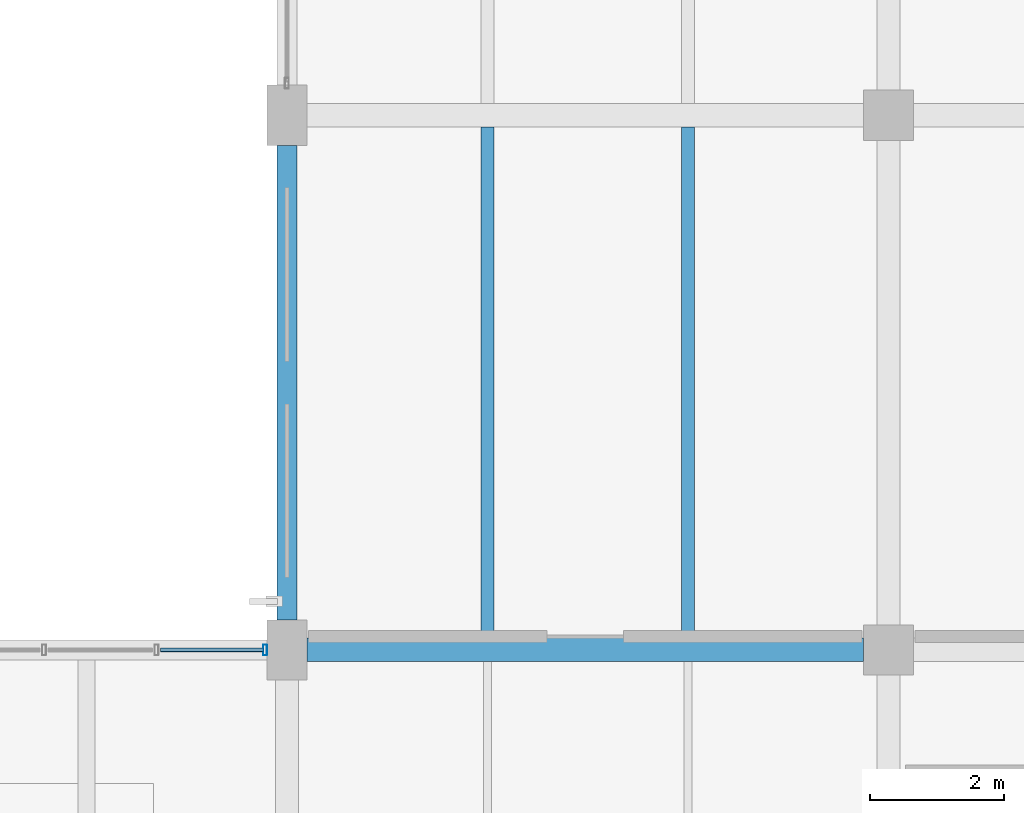
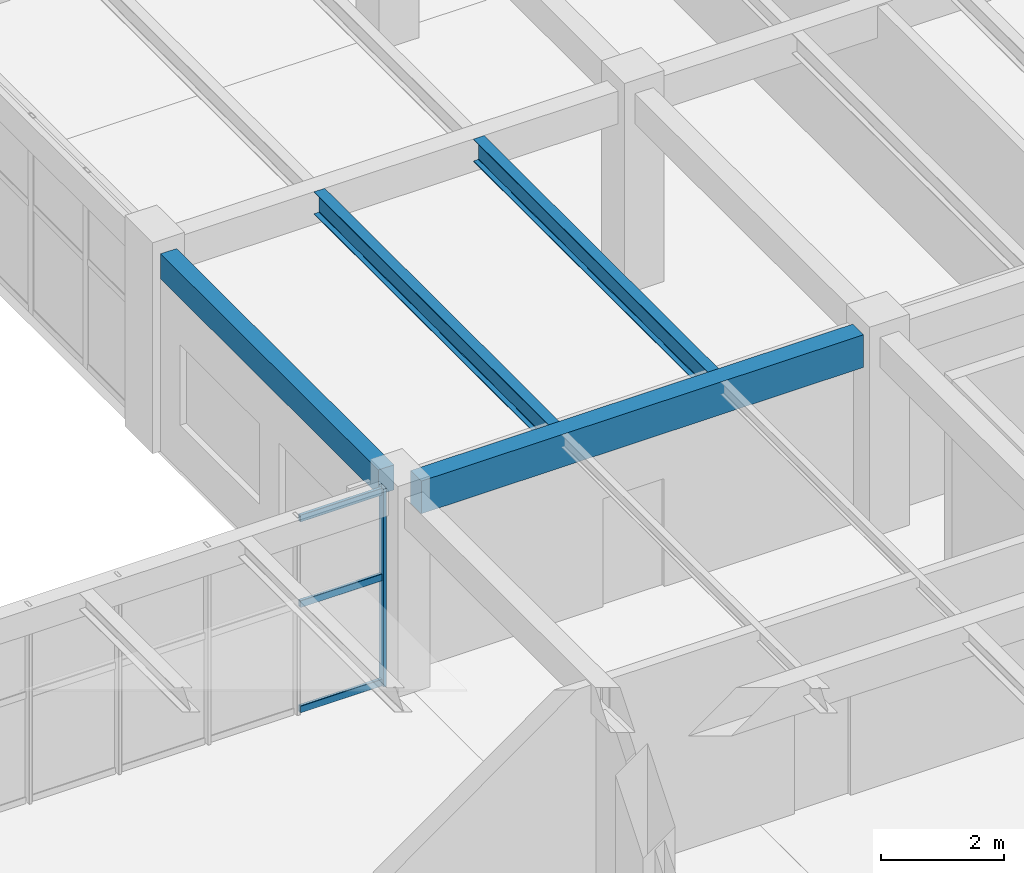
# One storey, part 71 of 128: 4 beams, 4 members, 1 element without a shape of its own.
"""IFC4 building model written with IfcOpenShell, lengths in metres."""

from ifc_helpers import new_model, si_unit, derived_unit, direction, frame, origin, origin_2d, place, context, subcontext, project, spatial, rectangle, hollow_rectangle, i_section, extrude, material, material_profile, profile_set, type_object, element, aggregate, save


model = new_model("IFC4")

# Units and contexts
model_context = context("Model", 3, precision=1e-05, world=origin(), true_north=direction((0.0, 1.0)))
body_context = subcontext(model_context, "Body", "Model", "MODEL_VIEW")
ifc_project = project(units=[si_unit("LENGTHUNIT", "METRE"), si_unit("AREAUNIT", "SQUARE_METRE"), si_unit("VOLUMEUNIT", "CUBIC_METRE"), si_unit("PLANEANGLEUNIT", "RADIAN"), si_unit("MASSUNIT", "GRAM", prefix="KILO"), derived_unit("THERMALTRANSMITTANCEUNIT", [(si_unit("MASSUNIT", "GRAM", prefix="KILO"), 1), (si_unit("TIMEUNIT", "SECOND"), -3), (si_unit("THERMODYNAMICTEMPERATUREUNIT", "KELVIN"), -1)])], contexts=[model_context])

# Site, building, storey
site_placement = place(None, origin())
site = spatial("IfcSite", under=ifc_project, at=site_placement, CompositionType="ELEMENT")
building_placement = place(site_placement, origin())
building = spatial("IfcBuilding", under=site, at=building_placement, Name="Zhenchuan Archway Interchange", CompositionType="ELEMENT")
storey_placement = place(building_placement, frame((0.0, 0.0, 14.39990234375)))
storey = spatial("IfcBuildingStorey", under=building, at=storey_placement, Name="L03", CompositionType="ELEMENT", Elevation=14.39990234375)

# Beam
ifc_material_1 = material(Name="Concrete C40", Category="concrete")
ifc_material_profile_1 = material_profile(ifc_material_1, rectangle(XDim=0.35009765625, YDim=0.64990234375, at=origin_2d()), Name="RC 350x650")
ifc_profile_set_1 = profile_set([ifc_material_profile_1], Name="Concrete C40")
beam_type_1 = type_object("IfcBeamType", Name="BM_RC_350x650", PredefinedType="BEAM", material=ifc_profile_set_1)
beam_1_placement = place(storey_placement, frame((144.300048828125, 24.0, 3.60498046875), z_axis=(1.0, 0.0, 0.0), x_axis=(0.0, 1.0, 0.0)))
element("IfcBeam", 1, at=beam_1_placement, inside=storey, type_object=beam_type_1, Name="Beam D:17-18 (L03)", PredefinedType="BEAM", context=body_context, shape_type="SweptSolid", body=[
    extrude(rectangle(XDim=0.35009765625, YDim=0.64990234375, at=origin_2d()), origin(), (0.0, 0.0, 1.0), 8.324951171875),
])

# Curtain wall, members
ifc_material_2 = material(Name="Anodised Aluminium", Category="aluminium")
curtain_wall_type = type_object("IfcCurtainWallType", Name="CW_UNIT_4", PredefinedType="NOTDEFINED", material=ifc_material_2)
curtain_wall_placement = place(storey_placement, origin())
curtain_wall = element("IfcCurtainWall", 2, at=curtain_wall_placement, inside=storey, type_object=curtain_wall_type, Name="Unitised curtain wall CW:L03:167", PredefinedType="NOTDEFINED")
ifc_material_profile_2 = material_profile(ifc_material_2, hollow_rectangle(XDim=0.06005859375, YDim=0.159912109375, WallThickness=0.00390625, InnerFilletRadius=0.00390625, OuterFilletRadius=0.008056640625, at=origin_2d()), Name="ALU 160x60x4")
ifc_profile_set_2 = profile_set([ifc_material_profile_2], Name="Anodised Aluminium")
member_type_1 = type_object("IfcMemberType", Name="CW_MUL_150", PredefinedType="MULLION", material=ifc_profile_set_2)
member_1_placement = place(storey_placement, frame((143.672119140625, 24.0, 0.0), z_axis=(0.0, 0.0, 1.0), x_axis=(1.0, 0.0, 0.0)))
member_1 = element("IfcMember", 3, at=member_1_placement, type_object=member_type_1, Name="CW:L03:167 mullion 5", PredefinedType="MULLION", context=body_context, shape_type="SweptSolid", body=[
    extrude(hollow_rectangle(XDim=0.06005859375, YDim=0.159912109375, WallThickness=0.00390625, InnerFilletRadius=0.00390625, OuterFilletRadius=0.008056640625, at=origin_2d()), origin(), (0.0, 0.0, 1.0), 3.940185546875),
])
ifc_material_profile_3 = material_profile(ifc_material_2, hollow_rectangle(XDim=0.06005859375, YDim=0.139892578125, WallThickness=0.00341796875, InnerFilletRadius=0.00341796875, OuterFilletRadius=0.007080078125, at=origin_2d()), Name="ALU 140x60x3.5")
ifc_profile_set_3 = profile_set([ifc_material_profile_3], Name="Anodised Aluminium")
member_type_2 = type_object("IfcMemberType", Name="CW_TRN_140", PredefinedType="USERDEFINED", material=ifc_profile_set_3)
member_2_placement = place(storey_placement, frame((142.109130859375, 24.0, 0.06005859375), z_axis=(1.0, 0.0, 0.0), x_axis=(0.0, 1.0, 0.0)))
member_2 = element("IfcMember", 4, at=member_2_placement, type_object=member_type_2, Name="CW:L03:167 transom 4-1", ObjectType="TRANSOM", PredefinedType="USERDEFINED", context=body_context, shape_type="SweptSolid", body=[
    extrude(hollow_rectangle(XDim=0.06005859375, YDim=0.139892578125, WallThickness=0.00341796875, InnerFilletRadius=0.00341796875, OuterFilletRadius=0.007080078125, at=origin_2d()), origin(), (0.0, 0.0, 1.0), 1.54296875),
])
member_3_placement = place(storey_placement, frame((142.109130859375, 24.0, 2.156005859375), z_axis=(1.0, 0.0, 0.0), x_axis=(0.0, 1.0, 0.0)))
member_3 = element("IfcMember", 5, at=member_3_placement, type_object=member_type_2, Name="CW:L03:167 transom 4-2", ObjectType="TRANSOM", PredefinedType="USERDEFINED", context=body_context, shape_type="SweptSolid", body=[
    extrude(hollow_rectangle(XDim=0.06005859375, YDim=0.139892578125, WallThickness=0.00341796875, InnerFilletRadius=0.00341796875, OuterFilletRadius=0.007080078125, at=origin_2d()), origin(), (0.0, 0.0, 1.0), 1.54296875),
])
member_4_placement = place(storey_placement, frame((142.109130859375, 24.0, 3.860107421875), z_axis=(1.0, 0.0, 0.0), x_axis=(0.0, 1.0, 0.0)))
member_4 = element("IfcMember", 6, at=member_4_placement, type_object=member_type_2, Name="CW:L03:167 transom 4-3", ObjectType="TRANSOM", PredefinedType="USERDEFINED", context=body_context, shape_type="SweptSolid", body=[
    extrude(hollow_rectangle(XDim=0.06005859375, YDim=0.139892578125, WallThickness=0.00341796875, InnerFilletRadius=0.00341796875, OuterFilletRadius=0.007080078125, at=origin_2d()), origin(), (0.0, 0.0, 1.0), 1.54296875),
])
aggregate(curtain_wall, [member_1, member_2, member_3, member_4])

# Beams
ifc_material_3 = material(Name="Steel Q355", Category="steel")
ifc_material_profile_4 = material_profile(ifc_material_3, i_section(OverallWidth=0.199951171875, OverallDepth=0.449951171875, WebThickness=0.009033203125, FlangeThickness=0.013916015625, FilletRadius=0.01806640625, at=origin_2d()), Name="HN 450x200")
ifc_profile_set_4 = profile_set([ifc_material_profile_4], Name="Steel Q355")
beam_type_2 = type_object("IfcBeamType", Name="JST_STL_HN450", PredefinedType="JOIST", material=ifc_profile_set_4)
for number, where, z_axis, x_axis, name in (
    (7, (147.0, 24.175048828125, 3.705078125), (0.0, 1.0, 0.0), (-1.0, 0.0, 0.0), "Secondary joist 17-18/D-E #1 (L03)"),
    (8, (150.0, 24.175048828125, 3.705078125), (0.0, 1.0, 0.0), (-1.0, 0.0, 0.0), "Secondary joist 17-18/D-E #2 (L03)"),
):
    element("IfcBeam", number, at=place(storey_placement, frame(where, z_axis=z_axis, x_axis=x_axis)), inside=storey, type_object=beam_type_2, Name=name, PredefinedType="JOIST", context=body_context, shape_type="SweptSolid", body=[
        extrude(i_section(OverallWidth=0.199951171875, OverallDepth=0.449951171875, WebThickness=0.009033203125, FlangeThickness=0.013916015625, FilletRadius=0.01806640625, at=origin_2d()), origin(), (0.0, 0.0, 1.0), 7.64990234375),
    ])
ifc_material_profile_5 = material_profile(ifc_material_1, rectangle(XDim=0.300048828125, YDim=0.5, at=origin_2d()), Name="RC 300x500")
ifc_profile_set_5 = profile_set([ifc_material_profile_5], Name="Concrete C40")
beam_type_3 = type_object("IfcBeamType", Name="SP_RC_300x500", PredefinedType="SPANDREL", material=ifc_profile_set_5)
beam_2_placement = place(storey_placement, frame((144.0, 24.449951171875, 3.68017578125), z_axis=(0.0, 1.0, 0.0), x_axis=(-1.0, 0.0, 0.0)))
element("IfcBeam", 9, at=beam_2_placement, inside=storey, type_object=beam_type_3, Name="Beam 17:D-E (L03)", PredefinedType="SPANDREL", context=body_context, shape_type="SweptSolid", body=[
    extrude(rectangle(XDim=0.300048828125, YDim=0.5, at=origin_2d()), origin(), (0.0, 0.0, 1.0), 7.10009765625),
])

save(model, "model.ifc")
